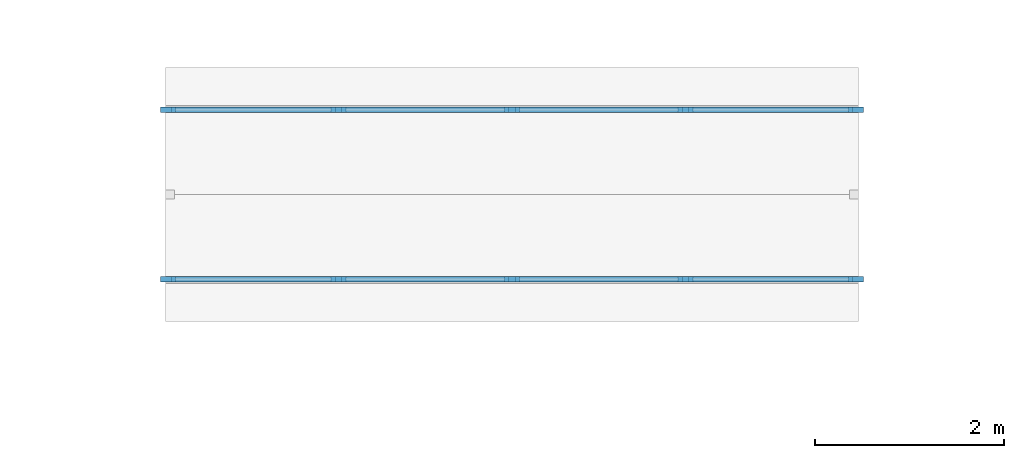
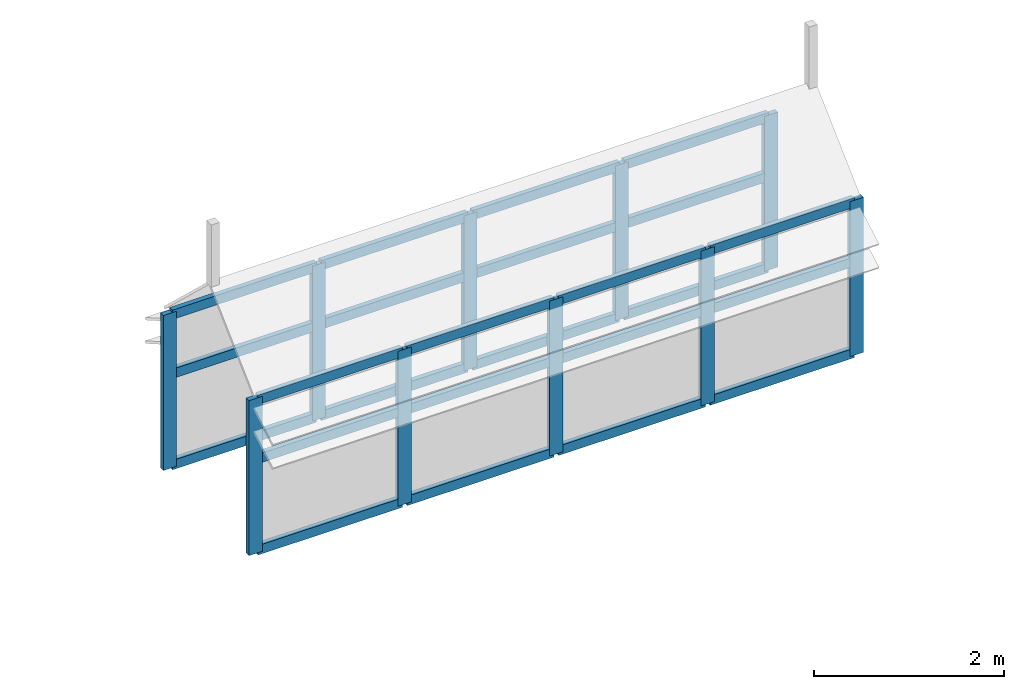
# One storey, part 12 of 28: 34 members, 2 elements without a shape of their own.
"""IFC4 building model written with IfcOpenShell, lengths in metres."""

from ifc_helpers import new_model, si_unit, direction, frame, origin, origin_2d, place, context, subcontext, project, spatial, rectangle, extrude, material, layer, layer_set, material_profile, profile_set, type_object, element, aggregate, save


model = new_model("IFC4")

# Units and contexts
model_context = context("Model", 3, precision=1e-05, world=origin(), true_north=direction((0.0, 1.0)))
body_context = subcontext(model_context, "Body", "Model", "MODEL_VIEW")
ifc_project = project(units=[si_unit("LENGTHUNIT", "METRE"), si_unit("AREAUNIT", "SQUARE_METRE"), si_unit("VOLUMEUNIT", "CUBIC_METRE"), si_unit("PLANEANGLEUNIT", "RADIAN"), si_unit("MASSUNIT", "GRAM", prefix="KILO")], contexts=[model_context])

# Site, building, storey
site_placement = place(None, origin())
site = spatial("IfcSite", under=ifc_project, at=site_placement, CompositionType="ELEMENT")
building_placement = place(site_placement, origin())
building = spatial("IfcBuilding", under=site, at=building_placement, Name="Mazhai Court Health Centre", CompositionType="ELEMENT")
storey_placement = place(building_placement, frame((0.0, 0.0, 18.0)))
storey = spatial("IfcBuildingStorey", under=building, at=storey_placement, Name="RF", CompositionType="ELEMENT", Elevation=18.0)

# Curtain wall, members
ifc_material_1 = material(Name="Teak timber frame, glazed", Category="wood")
ifc_layer = layer(ifc_material_1, 0.10009765625)
ifc_layer_set = layer_set([ifc_layer], Name="CURTAIN WALL TIMBER 1800")
curtain_wall_type = type_object("IfcCurtainWallType", Name="CURTAIN WALL TIMBER 1800", PredefinedType="NOTDEFINED", material=ifc_layer_set)
curtain_wall_1_placement = place(storey_placement, origin())
curtain_wall_1 = element("IfcCurtainWall", 1, at=curtain_wall_1_placement, inside=storey, type_object=curtain_wall_type, Name="CW-V3-LSS", PredefinedType="NOTDEFINED")
ifc_material_2 = material(Name="Teak timber", Category="wood")
ifc_material_profile_1 = material_profile(ifc_material_2, rectangle(XDim=0.06005859375, YDim=0.159912109375, at=origin_2d()), Name="CW MULLION 60x160")
ifc_profile_set_1 = profile_set([ifc_material_profile_1], Name="Teak timber")
member_type_1 = type_object("IfcMemberType", Name="CW MULLION 60x160", PredefinedType="MULLION", material=ifc_profile_set_1)
member_1_placement = place(storey_placement, frame((107.0458984375, 55.699951171875, -7.23388671875), z_axis=(0.0, 0.0, 1.0), x_axis=(0.0, -1.0, 0.0)))
member_1 = element("IfcMember", 2, at=member_1_placement, type_object=member_type_1, Name="CW mullion 1", PredefinedType="MULLION", context=body_context, shape_type="SweptSolid", body=[
    extrude(rectangle(XDim=0.06005859375, YDim=0.159912109375, at=origin_2d()), origin(), (0.0, 0.0, 1.0), 1.98779296875),
])
member_2_placement = place(storey_placement, frame((105.238037109375, 55.699951171875, -7.23388671875), z_axis=(0.0, 0.0, 1.0), x_axis=(0.0, -1.0, 0.0)))
member_2 = element("IfcMember", 3, at=member_2_placement, type_object=member_type_1, Name="CW mullion 2", PredefinedType="MULLION", context=body_context, shape_type="SweptSolid", body=[
    extrude(rectangle(XDim=0.06005859375, YDim=0.159912109375, at=origin_2d()), origin(), (0.0, 0.0, 1.0), 1.98779296875),
])
member_3_placement = place(storey_placement, frame((103.39990234375, 55.699951171875, -7.23388671875), z_axis=(0.0, 0.0, 1.0), x_axis=(0.0, -1.0, 0.0)))
member_3 = element("IfcMember", 4, at=member_3_placement, type_object=member_type_1, Name="CW mullion 3", PredefinedType="MULLION", context=body_context, shape_type="SweptSolid", body=[
    extrude(rectangle(XDim=0.06005859375, YDim=0.159912109375, at=origin_2d()), origin(), (0.0, 0.0, 1.0), 1.98779296875),
])
member_4_placement = place(storey_placement, frame((101.56201171875, 55.699951171875, -7.23388671875), z_axis=(0.0, 0.0, 1.0), x_axis=(0.0, -1.0, 0.0)))
member_4 = element("IfcMember", 5, at=member_4_placement, type_object=member_type_1, Name="CW mullion 4", PredefinedType="MULLION", context=body_context, shape_type="SweptSolid", body=[
    extrude(rectangle(XDim=0.06005859375, YDim=0.159912109375, at=origin_2d()), origin(), (0.0, 0.0, 1.0), 1.98779296875),
])
member_5_placement = place(storey_placement, frame((99.75390625, 55.699951171875, -7.23388671875), z_axis=(0.0, 0.0, 1.0), x_axis=(0.0, -1.0, 0.0)))
member_5 = element("IfcMember", 6, at=member_5_placement, type_object=member_type_1, Name="CW mullion 5", PredefinedType="MULLION", context=body_context, shape_type="SweptSolid", body=[
    extrude(rectangle(XDim=0.06005859375, YDim=0.159912109375, at=origin_2d()), origin(), (0.0, 0.0, 1.0), 1.98779296875),
])

curtain_wall_2_placement = place(storey_placement, origin())
curtain_wall_2 = element("IfcCurtainWall", 7, at=curtain_wall_2_placement, inside=storey, type_object=curtain_wall_type, Name="CW-V3-LSN", PredefinedType="NOTDEFINED")
member_6_placement = place(storey_placement, frame((99.75390625, 57.5, -7.23388671875), z_axis=(0.0, 0.0, 1.0), x_axis=(0.0, 1.0, 0.0)))
member_6 = element("IfcMember", 8, at=member_6_placement, type_object=member_type_1, Name="CW mullion 1", PredefinedType="MULLION", context=body_context, shape_type="SweptSolid", body=[
    extrude(rectangle(XDim=0.06005859375, YDim=0.159912109375, at=origin_2d()), origin(), (0.0, 0.0, 1.0), 1.98779296875),
])
member_7_placement = place(storey_placement, frame((101.56201171875, 57.5, -7.23388671875), z_axis=(0.0, 0.0, 1.0), x_axis=(0.0, 1.0, 0.0)))
member_7 = element("IfcMember", 9, at=member_7_placement, type_object=member_type_1, Name="CW mullion 2", PredefinedType="MULLION", context=body_context, shape_type="SweptSolid", body=[
    extrude(rectangle(XDim=0.06005859375, YDim=0.159912109375, at=origin_2d()), origin(), (0.0, 0.0, 1.0), 1.98779296875),
])
member_8_placement = place(storey_placement, frame((103.39990234375, 57.5, -7.23388671875), z_axis=(0.0, 0.0, 1.0), x_axis=(0.0, 1.0, 0.0)))
member_8 = element("IfcMember", 10, at=member_8_placement, type_object=member_type_1, Name="CW mullion 3", PredefinedType="MULLION", context=body_context, shape_type="SweptSolid", body=[
    extrude(rectangle(XDim=0.06005859375, YDim=0.159912109375, at=origin_2d()), origin(), (0.0, 0.0, 1.0), 1.98779296875),
])
member_9_placement = place(storey_placement, frame((105.238037109375, 57.5, -7.23388671875), z_axis=(0.0, 0.0, 1.0), x_axis=(0.0, 1.0, 0.0)))
member_9 = element("IfcMember", 11, at=member_9_placement, type_object=member_type_1, Name="CW mullion 4", PredefinedType="MULLION", context=body_context, shape_type="SweptSolid", body=[
    extrude(rectangle(XDim=0.06005859375, YDim=0.159912109375, at=origin_2d()), origin(), (0.0, 0.0, 1.0), 1.98779296875),
])
member_10_placement = place(storey_placement, frame((107.0458984375, 57.5, -7.23388671875), z_axis=(0.0, 0.0, 1.0), x_axis=(0.0, 1.0, 0.0)))
member_10 = element("IfcMember", 12, at=member_10_placement, type_object=member_type_1, Name="CW mullion 5", PredefinedType="MULLION", context=body_context, shape_type="SweptSolid", body=[
    extrude(rectangle(XDim=0.06005859375, YDim=0.159912109375, at=origin_2d()), origin(), (0.0, 0.0, 1.0), 1.98779296875),
])

# Member
ifc_material_3 = material(Name="Teak timber", Category="wood")
ifc_material_profile_2 = material_profile(ifc_material_3, rectangle(XDim=0.06005859375, YDim=0.1201171875, at=origin_2d()), Name="CW TRANSOM 60x120")
ifc_profile_set_2 = profile_set([ifc_material_profile_2], Name="Teak timber")
member_type_2 = type_object("IfcMemberType", Name="CW TRANSOM 60x120", PredefinedType="USERDEFINED", material=ifc_profile_set_2)
member_11_placement = place(storey_placement, frame((107.01611328125, 55.699951171875, -7.2041015625), z_axis=(-1.0, 0.0, 0.0), x_axis=(0.0, -1.0, 0.0)))
member_11 = element("IfcMember", 13, at=member_11_placement, type_object=member_type_2, Name="CW transom 1.1", ObjectType="TRANSOM", PredefinedType="USERDEFINED", context=body_context, shape_type="SweptSolid", body=[
    extrude(rectangle(XDim=0.06005859375, YDim=0.1201171875, at=origin_2d()), origin(), (0.0, 0.0, 1.0), 1.748046875),
])

member_12_placement = place(storey_placement, frame((107.01611328125, 55.699951171875, -6.033935546875), z_axis=(-1.0, 0.0, 0.0), x_axis=(0.0, -1.0, 0.0)))
member_12 = element("IfcMember", 14, at=member_12_placement, type_object=member_type_2, Name="CW transom 1.2", ObjectType="TRANSOM", PredefinedType="USERDEFINED", context=body_context, shape_type="SweptSolid", body=[
    extrude(rectangle(XDim=0.06005859375, YDim=0.1201171875, at=origin_2d()), origin(), (0.0, 0.0, 1.0), 1.748046875),
])

member_13_placement = place(storey_placement, frame((107.01611328125, 55.699951171875, -5.27587890625), z_axis=(-1.0, 0.0, 0.0), x_axis=(0.0, -1.0, 0.0)))
member_13 = element("IfcMember", 15, at=member_13_placement, type_object=member_type_2, Name="CW transom 1.3", ObjectType="TRANSOM", PredefinedType="USERDEFINED", context=body_context, shape_type="SweptSolid", body=[
    extrude(rectangle(XDim=0.06005859375, YDim=0.1201171875, at=origin_2d()), origin(), (0.0, 0.0, 1.0), 1.748046875),
])

member_14_placement = place(storey_placement, frame((105.2080078125, 55.699951171875, -7.2041015625), z_axis=(-1.0, 0.0, 0.0), x_axis=(0.0, -1.0, 0.0)))
member_14 = element("IfcMember", 16, at=member_14_placement, type_object=member_type_2, Name="CW transom 2.1", ObjectType="TRANSOM", PredefinedType="USERDEFINED", context=body_context, shape_type="SweptSolid", body=[
    extrude(rectangle(XDim=0.06005859375, YDim=0.1201171875, at=origin_2d()), origin(), (0.0, 0.0, 1.0), 1.778076171875),
])

member_15_placement = place(storey_placement, frame((105.2080078125, 55.699951171875, -6.033935546875), z_axis=(-1.0, 0.0, 0.0), x_axis=(0.0, -1.0, 0.0)))
member_15 = element("IfcMember", 17, at=member_15_placement, type_object=member_type_2, Name="CW transom 2.2", ObjectType="TRANSOM", PredefinedType="USERDEFINED", context=body_context, shape_type="SweptSolid", body=[
    extrude(rectangle(XDim=0.06005859375, YDim=0.1201171875, at=origin_2d()), origin(), (0.0, 0.0, 1.0), 1.778076171875),
])

member_16_placement = place(storey_placement, frame((105.2080078125, 55.699951171875, -5.27587890625), z_axis=(-1.0, 0.0, 0.0), x_axis=(0.0, -1.0, 0.0)))
member_16 = element("IfcMember", 18, at=member_16_placement, type_object=member_type_2, Name="CW transom 2.3", ObjectType="TRANSOM", PredefinedType="USERDEFINED", context=body_context, shape_type="SweptSolid", body=[
    extrude(rectangle(XDim=0.06005859375, YDim=0.1201171875, at=origin_2d()), origin(), (0.0, 0.0, 1.0), 1.778076171875),
])

member_17_placement = place(storey_placement, frame((103.3701171875, 55.699951171875, -7.2041015625), z_axis=(-1.0, 0.0, 0.0), x_axis=(0.0, -1.0, 0.0)))
member_17 = element("IfcMember", 19, at=member_17_placement, type_object=member_type_2, Name="CW transom 3.1", ObjectType="TRANSOM", PredefinedType="USERDEFINED", context=body_context, shape_type="SweptSolid", body=[
    extrude(rectangle(XDim=0.06005859375, YDim=0.1201171875, at=origin_2d()), origin(), (0.0, 0.0, 1.0), 1.778076171875),
])

member_18_placement = place(storey_placement, frame((103.3701171875, 55.699951171875, -6.033935546875), z_axis=(-1.0, 0.0, 0.0), x_axis=(0.0, -1.0, 0.0)))
member_18 = element("IfcMember", 20, at=member_18_placement, type_object=member_type_2, Name="CW transom 3.2", ObjectType="TRANSOM", PredefinedType="USERDEFINED", context=body_context, shape_type="SweptSolid", body=[
    extrude(rectangle(XDim=0.06005859375, YDim=0.1201171875, at=origin_2d()), origin(), (0.0, 0.0, 1.0), 1.778076171875),
])

member_19_placement = place(storey_placement, frame((103.3701171875, 55.699951171875, -5.27587890625), z_axis=(-1.0, 0.0, 0.0), x_axis=(0.0, -1.0, 0.0)))
member_19 = element("IfcMember", 21, at=member_19_placement, type_object=member_type_2, Name="CW transom 3.3", ObjectType="TRANSOM", PredefinedType="USERDEFINED", context=body_context, shape_type="SweptSolid", body=[
    extrude(rectangle(XDim=0.06005859375, YDim=0.1201171875, at=origin_2d()), origin(), (0.0, 0.0, 1.0), 1.778076171875),
])

member_20_placement = place(storey_placement, frame((101.531982421875, 55.699951171875, -7.2041015625), z_axis=(-1.0, 0.0, 0.0), x_axis=(0.0, -1.0, 0.0)))
member_20 = element("IfcMember", 22, at=member_20_placement, type_object=member_type_2, Name="CW transom 4.1", ObjectType="TRANSOM", PredefinedType="USERDEFINED", context=body_context, shape_type="SweptSolid", body=[
    extrude(rectangle(XDim=0.06005859375, YDim=0.1201171875, at=origin_2d()), origin(), (0.0, 0.0, 1.0), 1.748046875),
])

member_21_placement = place(storey_placement, frame((101.531982421875, 55.699951171875, -6.033935546875), z_axis=(-1.0, 0.0, 0.0), x_axis=(0.0, -1.0, 0.0)))
member_21 = element("IfcMember", 23, at=member_21_placement, type_object=member_type_2, Name="CW transom 4.2", ObjectType="TRANSOM", PredefinedType="USERDEFINED", context=body_context, shape_type="SweptSolid", body=[
    extrude(rectangle(XDim=0.06005859375, YDim=0.1201171875, at=origin_2d()), origin(), (0.0, 0.0, 1.0), 1.748046875),
])

member_22_placement = place(storey_placement, frame((101.531982421875, 55.699951171875, -5.27587890625), z_axis=(-1.0, 0.0, 0.0), x_axis=(0.0, -1.0, 0.0)))
member_22 = element("IfcMember", 24, at=member_22_placement, type_object=member_type_2, Name="CW transom 4.3", ObjectType="TRANSOM", PredefinedType="USERDEFINED", context=body_context, shape_type="SweptSolid", body=[
    extrude(rectangle(XDim=0.06005859375, YDim=0.1201171875, at=origin_2d()), origin(), (0.0, 0.0, 1.0), 1.748046875),
])

aggregate(curtain_wall_1, [member_1, member_2, member_3, member_4, member_5, member_11, member_12, member_13, member_14, member_15, member_16, member_17, member_18, member_19, member_20, member_21, member_22])

member_23_placement = place(storey_placement, frame((99.783935546875, 57.5, -7.2041015625), z_axis=(1.0, 0.0, 0.0), x_axis=(0.0, 1.0, 0.0)))
member_23 = element("IfcMember", 25, at=member_23_placement, type_object=member_type_2, Name="CW transom 1.1", ObjectType="TRANSOM", PredefinedType="USERDEFINED", context=body_context, shape_type="SweptSolid", body=[
    extrude(rectangle(XDim=0.06005859375, YDim=0.1201171875, at=origin_2d()), origin(), (0.0, 0.0, 1.0), 1.748046875),
])

member_24_placement = place(storey_placement, frame((99.783935546875, 57.5, -6.033935546875), z_axis=(1.0, 0.0, 0.0), x_axis=(0.0, 1.0, 0.0)))
member_24 = element("IfcMember", 26, at=member_24_placement, type_object=member_type_2, Name="CW transom 1.2", ObjectType="TRANSOM", PredefinedType="USERDEFINED", context=body_context, shape_type="SweptSolid", body=[
    extrude(rectangle(XDim=0.06005859375, YDim=0.1201171875, at=origin_2d()), origin(), (0.0, 0.0, 1.0), 1.748046875),
])

member_25_placement = place(storey_placement, frame((99.783935546875, 57.5, -5.27587890625), z_axis=(1.0, 0.0, 0.0), x_axis=(0.0, 1.0, 0.0)))
member_25 = element("IfcMember", 27, at=member_25_placement, type_object=member_type_2, Name="CW transom 1.3", ObjectType="TRANSOM", PredefinedType="USERDEFINED", context=body_context, shape_type="SweptSolid", body=[
    extrude(rectangle(XDim=0.06005859375, YDim=0.1201171875, at=origin_2d()), origin(), (0.0, 0.0, 1.0), 1.748046875),
])

member_26_placement = place(storey_placement, frame((101.592041015625, 57.5, -7.2041015625), z_axis=(1.0, 0.0, 0.0), x_axis=(0.0, 1.0, 0.0)))
member_26 = element("IfcMember", 28, at=member_26_placement, type_object=member_type_2, Name="CW transom 2.1", ObjectType="TRANSOM", PredefinedType="USERDEFINED", context=body_context, shape_type="SweptSolid", body=[
    extrude(rectangle(XDim=0.06005859375, YDim=0.1201171875, at=origin_2d()), origin(), (0.0, 0.0, 1.0), 1.778076171875),
])

member_27_placement = place(storey_placement, frame((101.592041015625, 57.5, -6.033935546875), z_axis=(1.0, 0.0, 0.0), x_axis=(0.0, 1.0, 0.0)))
member_27 = element("IfcMember", 29, at=member_27_placement, type_object=member_type_2, Name="CW transom 2.2", ObjectType="TRANSOM", PredefinedType="USERDEFINED", context=body_context, shape_type="SweptSolid", body=[
    extrude(rectangle(XDim=0.06005859375, YDim=0.1201171875, at=origin_2d()), origin(), (0.0, 0.0, 1.0), 1.778076171875),
])

member_28_placement = place(storey_placement, frame((101.592041015625, 57.5, -5.27587890625), z_axis=(1.0, 0.0, 0.0), x_axis=(0.0, 1.0, 0.0)))
member_28 = element("IfcMember", 30, at=member_28_placement, type_object=member_type_2, Name="CW transom 2.3", ObjectType="TRANSOM", PredefinedType="USERDEFINED", context=body_context, shape_type="SweptSolid", body=[
    extrude(rectangle(XDim=0.06005859375, YDim=0.1201171875, at=origin_2d()), origin(), (0.0, 0.0, 1.0), 1.778076171875),
])

member_29_placement = place(storey_placement, frame((103.429931640625, 57.5, -7.2041015625), z_axis=(1.0, 0.0, 0.0), x_axis=(0.0, 1.0, 0.0)))
member_29 = element("IfcMember", 31, at=member_29_placement, type_object=member_type_2, Name="CW transom 3.1", ObjectType="TRANSOM", PredefinedType="USERDEFINED", context=body_context, shape_type="SweptSolid", body=[
    extrude(rectangle(XDim=0.06005859375, YDim=0.1201171875, at=origin_2d()), origin(), (0.0, 0.0, 1.0), 1.778076171875),
])

member_30_placement = place(storey_placement, frame((103.429931640625, 57.5, -6.033935546875), z_axis=(1.0, 0.0, 0.0), x_axis=(0.0, 1.0, 0.0)))
member_30 = element("IfcMember", 32, at=member_30_placement, type_object=member_type_2, Name="CW transom 3.2", ObjectType="TRANSOM", PredefinedType="USERDEFINED", context=body_context, shape_type="SweptSolid", body=[
    extrude(rectangle(XDim=0.06005859375, YDim=0.1201171875, at=origin_2d()), origin(), (0.0, 0.0, 1.0), 1.778076171875),
])

member_31_placement = place(storey_placement, frame((103.429931640625, 57.5, -5.27587890625), z_axis=(1.0, 0.0, 0.0), x_axis=(0.0, 1.0, 0.0)))
member_31 = element("IfcMember", 33, at=member_31_placement, type_object=member_type_2, Name="CW transom 3.3", ObjectType="TRANSOM", PredefinedType="USERDEFINED", context=body_context, shape_type="SweptSolid", body=[
    extrude(rectangle(XDim=0.06005859375, YDim=0.1201171875, at=origin_2d()), origin(), (0.0, 0.0, 1.0), 1.778076171875),
])

member_32_placement = place(storey_placement, frame((105.26806640625, 57.5, -7.2041015625), z_axis=(1.0, 0.0, 0.0), x_axis=(0.0, 1.0, 0.0)))
member_32 = element("IfcMember", 34, at=member_32_placement, type_object=member_type_2, Name="CW transom 4.1", ObjectType="TRANSOM", PredefinedType="USERDEFINED", context=body_context, shape_type="SweptSolid", body=[
    extrude(rectangle(XDim=0.06005859375, YDim=0.1201171875, at=origin_2d()), origin(), (0.0, 0.0, 1.0), 1.748046875),
])

member_33_placement = place(storey_placement, frame((105.26806640625, 57.5, -6.033935546875), z_axis=(1.0, 0.0, 0.0), x_axis=(0.0, 1.0, 0.0)))
member_33 = element("IfcMember", 35, at=member_33_placement, type_object=member_type_2, Name="CW transom 4.2", ObjectType="TRANSOM", PredefinedType="USERDEFINED", context=body_context, shape_type="SweptSolid", body=[
    extrude(rectangle(XDim=0.06005859375, YDim=0.1201171875, at=origin_2d()), origin(), (0.0, 0.0, 1.0), 1.748046875),
])

member_34_placement = place(storey_placement, frame((105.26806640625, 57.5, -5.27587890625), z_axis=(1.0, 0.0, 0.0), x_axis=(0.0, 1.0, 0.0)))
member_34 = element("IfcMember", 36, at=member_34_placement, type_object=member_type_2, Name="CW transom 4.3", ObjectType="TRANSOM", PredefinedType="USERDEFINED", context=body_context, shape_type="SweptSolid", body=[
    extrude(rectangle(XDim=0.06005859375, YDim=0.1201171875, at=origin_2d()), origin(), (0.0, 0.0, 1.0), 1.748046875),
])

aggregate(curtain_wall_2, [member_6, member_7, member_8, member_9, member_10, member_23, member_24, member_25, member_26, member_27, member_28, member_29, member_30, member_31, member_32, member_33, member_34])

save(model, "model.ifc")
